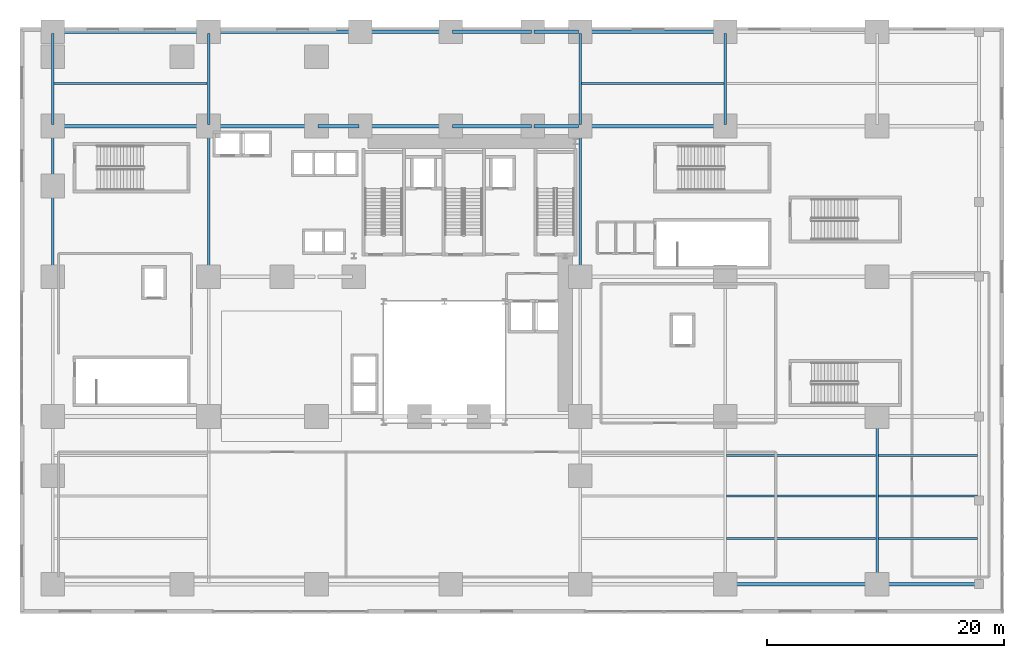
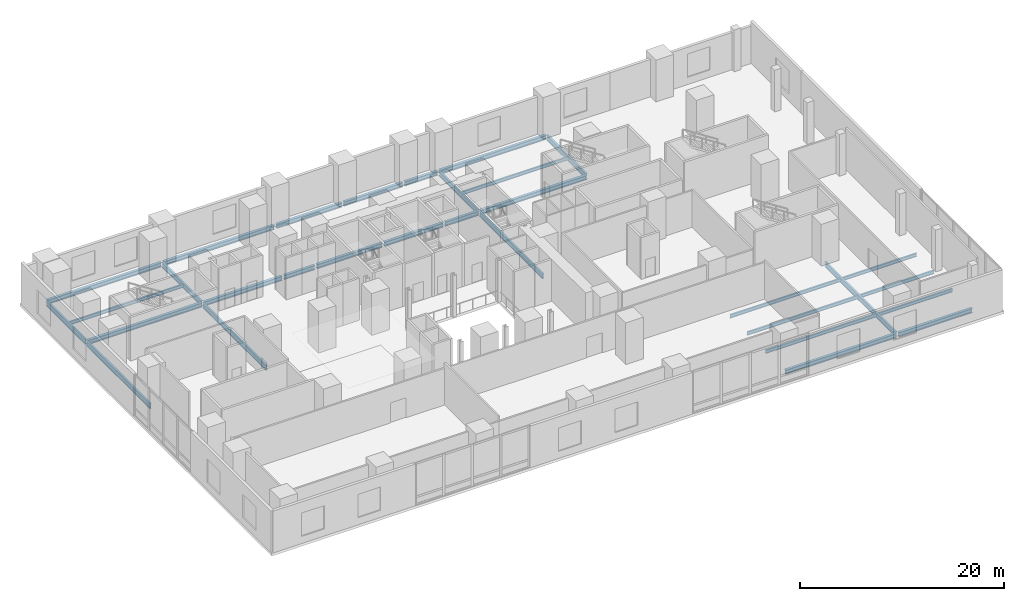
# One storey, part 5 of 15: 31 beams.
"""IFC4 building model written with IfcOpenShell, lengths in metres."""

from ifc_helpers import new_model, si_unit, direction, frame, origin, origin_2d, place, context, subcontext, project, spatial, i_section, extrude, source, transform, mapped, material, material_profile, profile_set, type_object, element, save


model = new_model("IFC4")

# Units and contexts
model_context = context("Model", 3, precision=1e-05, world=origin(), true_north=direction((0.0, 1.0)))
body_context = subcontext(model_context, "Body", "Model", "MODEL_VIEW")
ifc_project = project(units=[si_unit("LENGTHUNIT", "METRE"), si_unit("AREAUNIT", "SQUARE_METRE"), si_unit("VOLUMEUNIT", "CUBIC_METRE"), si_unit("PLANEANGLEUNIT", "RADIAN"), si_unit("MASSUNIT", "GRAM", prefix="KILO")], contexts=[model_context])

# Site, building, storey
site_placement = place(None, origin())
site = spatial("IfcSite", under=ifc_project, at=site_placement, CompositionType="ELEMENT")
building_placement = place(site_placement, origin())
building = spatial("IfcBuilding", under=site, at=building_placement, Name="Vardaveli Station Tower", CompositionType="ELEMENT")
storey_placement = place(building_placement, frame((0.0, 0.0, 6.0)))
storey = spatial("IfcBuildingStorey", under=building, at=storey_placement, Name="L02", CompositionType="ELEMENT", Elevation=6.0)

# Beams
ifc_material = material(Name="Structural steel S355J2", Category="steel")
ifc_material_profile_1 = material_profile(ifc_material, i_section(OverallWidth=0.305908203125, OverallDepth=0.52392578125, WebThickness=0.02099609375, FlangeThickness=0.0400390625, FilletRadius=0.027099609375, at=origin_2d()), Name="HEM 500")
ifc_profile_set_1 = profile_set([ifc_material_profile_1], Name="Structural steel S355J2")
beam_type_1 = type_object("IfcBeamType", Name="BM-HEM500", PredefinedType="BEAM", material=ifc_profile_set_1)
shared_shape_1 = source(origin(), body_context, "Body", "SweptSolid", [
    extrude(i_section(OverallWidth=0.305908203125, OverallDepth=0.52392578125, WebThickness=0.02099609375, FlangeThickness=0.0400390625, FilletRadius=0.027099609375, at=origin_2d()), origin(), (0.0, 0.0, 1.0), 12.009765625),
])
for number, where, z_axis, x_axis, name in (
    (1, (47.8701171875, 41.60009765625, -0.58203125), (1.0, 0.0, 0.0), (0.0, 1.0, 0.0), "PBM-L02-EW3-6"),
    (2, (47.8701171875, 49.550048828125, -0.58203125), (1.0, 0.0, 0.0), (0.0, 1.0, 0.0), "PBM-L02-EW4-5"),
):
    element("IfcBeam", number, at=place(storey_placement, frame(where, z_axis=z_axis, x_axis=x_axis)), inside=storey, type_object=beam_type_1, Name=name, PredefinedType="BEAM", context=body_context, shape_type="MappedRepresentation", body=[
        mapped(shared_shape_1, transform((0.0, 0.0, 0.0), scale=1.0)),
    ])
shared_shape_2 = source(origin(), body_context, "Body", "SweptSolid", [
    extrude(i_section(OverallWidth=0.305908203125, OverallDepth=0.52392578125, WebThickness=0.02099609375, FlangeThickness=0.0400390625, FilletRadius=0.027099609375, at=origin_2d()), origin(), (0.0, 0.0, 1.0), 12.559814453125),
])
beam_1_placement = place(storey_placement, frame((60.1201171875, 2.949951171875, -0.58203125), z_axis=(1.0, 0.0, 0.0), x_axis=(0.0, 1.0, 0.0)))
element("IfcBeam", 3, at=beam_1_placement, inside=storey, type_object=beam_type_1, Name="PBM-L02-EW0-5", PredefinedType="BEAM", context=body_context, shape_type="MappedRepresentation", body=[
    mapped(shared_shape_2, transform((0.0, 0.0, 0.0), scale=1.0)),
])
shared_shape_3 = source(origin(), body_context, "Body", "SweptSolid", [
    extrude(i_section(OverallWidth=0.305908203125, OverallDepth=0.52392578125, WebThickness=0.02099609375, FlangeThickness=0.0400390625, FilletRadius=0.027099609375, at=origin_2d()), origin(), (0.0, 0.0, 1.0), 12.909912109375),
])
for number, where, z_axis, x_axis, name in (
    (4, (3.3701171875, 41.60009765625, -0.58203125), (1.0, 0.0, 0.0), (0.0, 1.0, 0.0), "PBM-L02-EW3-0"),
    (5, (3.3701171875, 49.550048828125, -0.58203125), (1.0, 0.0, 0.0), (0.0, 1.0, 0.0), "PBM-L02-EW4-0"),
):
    element("IfcBeam", number, at=place(storey_placement, frame(where, z_axis=z_axis, x_axis=x_axis)), inside=storey, type_object=beam_type_1, Name=name, PredefinedType="BEAM", context=body_context, shape_type="MappedRepresentation", body=[
        mapped(shared_shape_3, transform((0.0, 0.0, 0.0), scale=1.0)),
    ])
shared_shape_4 = source(origin(), body_context, "Body", "SweptSolid", [
    extrude(i_section(OverallWidth=0.305908203125, OverallDepth=0.52392578125, WebThickness=0.02099609375, FlangeThickness=0.0400390625, FilletRadius=0.027099609375, at=origin_2d()), origin(), (0.0, 0.0, 1.0), 8.85986328125),
])
beam_2_placement = place(storey_placement, frame((16.52001953125, 41.60009765625, -0.58203125), z_axis=(1.0, 0.0, 0.0), x_axis=(0.0, 1.0, 0.0)))
element("IfcBeam", 6, at=beam_2_placement, inside=storey, type_object=beam_type_1, Name="PBM-L02-EW3-1", PredefinedType="BEAM", context=body_context, shape_type="MappedRepresentation", body=[
    mapped(shared_shape_4, transform((0.0, 0.0, 0.0), scale=1.0)),
])
shared_shape_5 = source(origin(), body_context, "Body", "SweptSolid", [
    extrude(i_section(OverallWidth=0.305908203125, OverallDepth=0.52392578125, WebThickness=0.02099609375, FlangeThickness=0.0400390625, FilletRadius=0.027099609375, at=origin_2d()), origin(), (0.0, 0.0, 1.0), 3.4599609375),
])
beam_3_placement = place(storey_placement, frame((25.6201171875, 41.60009765625, -0.58203125), z_axis=(1.0, 0.0, 0.0), x_axis=(0.0, 1.0, 0.0)))
element("IfcBeam", 7, at=beam_3_placement, inside=storey, type_object=beam_type_1, Name="PBM-L02-EW3-2", PredefinedType="BEAM", context=body_context, shape_type="MappedRepresentation", body=[
    mapped(shared_shape_5, transform((0.0, 0.0, 0.0), scale=1.0)),
])
shared_shape_6 = source(origin(), body_context, "Body", "SweptSolid", [
    extrude(i_section(OverallWidth=0.305908203125, OverallDepth=0.52392578125, WebThickness=0.02099609375, FlangeThickness=0.0400390625, FilletRadius=0.027099609375, at=origin_2d()), origin(), (0.0, 0.0, 1.0), 7.39990234375),
])
for number, where, z_axis, x_axis, name in (
    (8, (29.320068359375, 41.60009765625, -0.58203125), (1.0, 0.0, 0.0), (0.0, 1.0, 0.0), "PBM-L02-EW3-3"),
    (9, (29.320068359375, 49.550048828125, -0.58203125), (1.0, 0.0, 0.0), (0.0, 1.0, 0.0), "PBM-L02-EW4-2"),
):
    element("IfcBeam", number, at=place(storey_placement, frame(where, z_axis=z_axis, x_axis=x_axis)), inside=storey, type_object=beam_type_1, Name=name, PredefinedType="BEAM", context=body_context, shape_type="MappedRepresentation", body=[
        mapped(shared_shape_6, transform((0.0, 0.0, 0.0), scale=1.0)),
    ])
shared_shape_7 = source(origin(), body_context, "Body", "SweptSolid", [
    extrude(i_section(OverallWidth=0.305908203125, OverallDepth=0.52392578125, WebThickness=0.02099609375, FlangeThickness=0.0400390625, FilletRadius=0.027099609375, at=origin_2d()), origin(), (0.0, 0.0, 1.0), 6.669921875),
])
for number, where, z_axis, x_axis, name in (
    (10, (36.9599609375, 41.60009765625, -0.58203125), (1.0, 0.0, 0.0), (0.0, 1.0, 0.0), "PBM-L02-EW3-4"),
    (11, (36.9599609375, 49.550048828125, -0.58203125), (1.0, 0.0, 0.0), (0.0, 1.0, 0.0), "PBM-L02-EW4-3"),
):
    element("IfcBeam", number, at=place(storey_placement, frame(where, z_axis=z_axis, x_axis=x_axis)), inside=storey, type_object=beam_type_1, Name=name, PredefinedType="BEAM", context=body_context, shape_type="MappedRepresentation", body=[
        mapped(shared_shape_7, transform((0.0, 0.0, 0.0), scale=1.0)),
    ])
shared_shape_8 = source(origin(), body_context, "Body", "SweptSolid", [
    extrude(i_section(OverallWidth=0.305908203125, OverallDepth=0.52392578125, WebThickness=0.02099609375, FlangeThickness=0.0400390625, FilletRadius=0.027099609375, at=origin_2d()), origin(), (0.0, 0.0, 1.0), 3.759765625),
])
for number, where, z_axis, x_axis, name in (
    (12, (43.8701171875, 41.60009765625, -0.58203125), (1.0, 0.0, 0.0), (0.0, 1.0, 0.0), "PBM-L02-EW3-5"),
    (13, (43.8701171875, 49.550048828125, -0.58203125), (1.0, 0.0, 0.0), (0.0, 1.0, 0.0), "PBM-L02-EW4-4"),
):
    element("IfcBeam", number, at=place(storey_placement, frame(where, z_axis=z_axis, x_axis=x_axis)), inside=storey, type_object=beam_type_1, Name=name, PredefinedType="BEAM", context=body_context, shape_type="MappedRepresentation", body=[
        mapped(shared_shape_8, transform((0.0, 0.0, 0.0), scale=1.0)),
    ])
shared_shape_9 = source(origin(), body_context, "Body", "SweptSolid", [
    extrude(i_section(OverallWidth=0.305908203125, OverallDepth=0.52392578125, WebThickness=0.02099609375, FlangeThickness=0.0400390625, FilletRadius=0.027099609375, at=origin_2d()), origin(), (0.0, 0.0, 1.0), 12.56005859375),
])
beam_4_placement = place(storey_placement, frame((16.52001953125, 49.550048828125, -0.58203125), z_axis=(1.0, 0.0, 0.0), x_axis=(0.0, 1.0, 0.0)))
element("IfcBeam", 14, at=beam_4_placement, inside=storey, type_object=beam_type_1, Name="PBM-L02-EW4-1", PredefinedType="BEAM", context=body_context, shape_type="MappedRepresentation", body=[
    mapped(shared_shape_9, transform((0.0, 0.0, 0.0), scale=1.0)),
])
ifc_material_profile_2 = material_profile(ifc_material, i_section(OverallWidth=0.219970703125, OverallDepth=0.60009765625, WebThickness=0.011962890625, FlangeThickness=0.01904296875, FilletRadius=0.02392578125, at=origin_2d()), Name="IPE 600")
ifc_profile_set_2 = profile_set([ifc_material_profile_2], Name="Structural steel S355J2")
beam_type_2 = type_object("IfcBeamType", Name="BM-IPE600", PredefinedType="BEAM", material=ifc_profile_set_2)
shared_shape_10 = source(origin(), body_context, "Body", "SweptSolid", [
    extrude(i_section(OverallWidth=0.219970703125, OverallDepth=0.60009765625, WebThickness=0.011962890625, FlangeThickness=0.01904296875, FilletRadius=0.02392578125, at=origin_2d()), origin(), (0.0, 0.0, 1.0), 13.909912109375),
])
beam_5_placement = place(storey_placement, frame((72.800048828125, 3.070068359375, -0.6201171875), z_axis=(0.0, 1.0, 0.0), x_axis=(-1.0, 0.0, 0.0)))
element("IfcBeam", 15, at=beam_5_placement, inside=storey, type_object=beam_type_2, Name="PBM-L02-NS4-0", PredefinedType="BEAM", context=body_context, shape_type="MappedRepresentation", body=[
    mapped(shared_shape_10, transform((0.0, 0.0, 0.0), scale=1.0)),
])
shared_shape_11 = source(origin(), body_context, "Body", "SweptSolid", [
    extrude(i_section(OverallWidth=0.219970703125, OverallDepth=0.60009765625, WebThickness=0.011962890625, FlangeThickness=0.01904296875, FilletRadius=0.02392578125, at=origin_2d()), origin(), (0.0, 0.0, 1.0), 12.4599609375),
])
for number, where, z_axis, x_axis, name in (
    (16, (3.25, 29.02001953125, -0.6201171875), (0.0, 1.0, 0.0), (-1.0, 0.0, 0.0), "PBM-L02-NS0-2"),
    (17, (16.39990234375, 29.02001953125, -0.6201171875), (0.0, 1.0, 0.0), (-1.0, 0.0, 0.0), "PBM-L02-NS1-2"),
    (18, (47.75, 29.02001953125, -0.6201171875), (0.0, 1.0, 0.0), (-1.0, 0.0, 0.0), "PBM-L02-NS2-2"),
):
    element("IfcBeam", number, at=place(storey_placement, frame(where, z_axis=z_axis, x_axis=x_axis)), inside=storey, type_object=beam_type_2, Name=name, PredefinedType="BEAM", context=body_context, shape_type="MappedRepresentation", body=[
        mapped(shared_shape_11, transform((0.0, 0.0, 0.0), scale=1.0)),
    ])
shared_shape_12 = source(origin(), body_context, "Body", "SweptSolid", [
    extrude(i_section(OverallWidth=0.219970703125, OverallDepth=0.60009765625, WebThickness=0.011962890625, FlangeThickness=0.01904296875, FilletRadius=0.02392578125, at=origin_2d()), origin(), (0.0, 0.0, 1.0), 7.7099609375),
])
for number, where, z_axis, x_axis, name in (
    (19, (3.25, 41.719970703125, -0.6201171875), (0.0, 1.0, 0.0), (-1.0, 0.0, 0.0), "PBM-L02-NS0-3"),
    (20, (16.39990234375, 41.719970703125, -0.6201171875), (0.0, 1.0, 0.0), (-1.0, 0.0, 0.0), "PBM-L02-NS1-3"),
    (21, (47.75, 41.719970703125, -0.6201171875), (0.0, 1.0, 0.0), (-1.0, 0.0, 0.0), "PBM-L02-NS2-3"),
    (22, (60.0, 41.719970703125, -0.6201171875), (0.0, 1.0, 0.0), (-1.0, 0.0, 0.0), "PBM-L02-NS3-3"),
):
    element("IfcBeam", number, at=place(storey_placement, frame(where, z_axis=z_axis, x_axis=x_axis)), inside=storey, type_object=beam_type_2, Name=name, PredefinedType="BEAM", context=body_context, shape_type="MappedRepresentation", body=[
        mapped(shared_shape_12, transform((0.0, 0.0, 0.0), scale=1.0)),
    ])
ifc_material_profile_3 = material_profile(ifc_material, i_section(OverallWidth=0.179931640625, OverallDepth=0.39990234375, WebThickness=0.008544921875, FlangeThickness=0.013427734375, FilletRadius=0.02099609375, at=origin_2d()), Name="IPE 400")
ifc_profile_set_3 = profile_set([ifc_material_profile_3], Name="Structural steel S355J2")
beam_type_3 = type_object("IfcBeamType", Name="BM-IPE400", PredefinedType="JOIST", material=ifc_profile_set_3)
shared_shape_13 = source(origin(), body_context, "Body", "SweptSolid", [
    extrude(i_section(OverallWidth=0.179931640625, OverallDepth=0.39990234375, WebThickness=0.008544921875, FlangeThickness=0.013427734375, FilletRadius=0.02099609375, at=origin_2d()), origin(), (0.0, 0.0, 1.0), 12.02587890625),
])
beam_6_placement = place(storey_placement, frame((47.862060546875, 45.199951171875, -0.52001953125), z_axis=(1.0, 0.0, 0.0), x_axis=(0.0, 1.0, 0.0)))
element("IfcBeam", 23, at=beam_6_placement, inside=storey, type_object=beam_type_3, Name="PJ-L02-4-2", PredefinedType="JOIST", context=body_context, shape_type="MappedRepresentation", body=[
    mapped(shared_shape_13, transform((0.0, 0.0, 0.0), scale=1.0)),
])
shared_shape_14 = source(origin(), body_context, "Body", "SweptSolid", [
    extrude(i_section(OverallWidth=0.179931640625, OverallDepth=0.39990234375, WebThickness=0.008544921875, FlangeThickness=0.013427734375, FilletRadius=0.02099609375, at=origin_2d()), origin(), (0.0, 0.0, 1.0), 12.575927734375),
])
for number, where, z_axis, x_axis, name in (
    (24, (60.112060546875, 6.800048828125, -0.52001953125), (1.0, 0.0, 0.0), (0.0, 1.0, 0.0), "PJ-L02-1-3"),
    (25, (60.112060546875, 10.39990234375, -0.52001953125), (1.0, 0.0, 0.0), (0.0, 1.0, 0.0), "PJ-L02-2-3"),
    (26, (60.112060546875, 13.800048828125, -0.52001953125), (1.0, 0.0, 0.0), (0.0, 1.0, 0.0), "PJ-L02-3-3"),
):
    element("IfcBeam", number, at=place(storey_placement, frame(where, z_axis=z_axis, x_axis=x_axis)), inside=storey, type_object=beam_type_3, Name=name, PredefinedType="JOIST", context=body_context, shape_type="MappedRepresentation", body=[
        mapped(shared_shape_14, transform((0.0, 0.0, 0.0), scale=1.0)),
    ])
shared_shape_15 = source(origin(), body_context, "Body", "SweptSolid", [
    extrude(i_section(OverallWidth=0.305908203125, OverallDepth=0.52392578125, WebThickness=0.02099609375, FlangeThickness=0.0400390625, FilletRadius=0.027099609375, at=origin_2d()), origin(), (0.0, 0.0, 1.0), 8.360107421875),
])
beam_7_placement = place(storey_placement, frame((72.919921875, 2.949951171875, -0.58203125), z_axis=(1.0, 0.0, 0.0), x_axis=(0.0, 1.0, 0.0)))
element("IfcBeam", 27, at=beam_7_placement, inside=storey, type_object=beam_type_1, Name="PBM-L02-EW0-6", PredefinedType="BEAM", context=body_context, shape_type="MappedRepresentation", body=[
    mapped(shared_shape_15, transform((0.0, 0.0, 0.0), scale=1.0)),
])
shared_shape_16 = source(origin(), body_context, "Body", "SweptSolid", [
    extrude(i_section(OverallWidth=0.179931640625, OverallDepth=0.39990234375, WebThickness=0.008544921875, FlangeThickness=0.013427734375, FilletRadius=0.02099609375, at=origin_2d()), origin(), (0.0, 0.0, 1.0), 12.926025390625),
])
beam_8_placement = place(storey_placement, frame((3.362060546875, 45.199951171875, -0.52001953125), z_axis=(1.0, 0.0, 0.0), x_axis=(0.0, 1.0, 0.0)))
element("IfcBeam", 28, at=beam_8_placement, inside=storey, type_object=beam_type_3, Name="PJ-L02-4-0", PredefinedType="JOIST", context=body_context, shape_type="MappedRepresentation", body=[
    mapped(shared_shape_16, transform((0.0, 0.0, 0.0), scale=1.0)),
])
shared_shape_17 = source(origin(), body_context, "Body", "SweptSolid", [
    extrude(i_section(OverallWidth=0.179931640625, OverallDepth=0.39990234375, WebThickness=0.008544921875, FlangeThickness=0.013427734375, FilletRadius=0.02099609375, at=origin_2d()), origin(), (0.0, 0.0, 1.0), 8.3759765625),
])
for number, where, z_axis, x_axis, name in (
    (29, (72.912109375, 6.800048828125, -0.52001953125), (1.0, 0.0, 0.0), (0.0, 1.0, 0.0), "PJ-L02-1-4"),
    (30, (72.912109375, 10.39990234375, -0.52001953125), (1.0, 0.0, 0.0), (0.0, 1.0, 0.0), "PJ-L02-2-4"),
    (31, (72.912109375, 13.800048828125, -0.52001953125), (1.0, 0.0, 0.0), (0.0, 1.0, 0.0), "PJ-L02-3-4"),
):
    element("IfcBeam", number, at=place(storey_placement, frame(where, z_axis=z_axis, x_axis=x_axis)), inside=storey, type_object=beam_type_3, Name=name, PredefinedType="JOIST", context=body_context, shape_type="MappedRepresentation", body=[
        mapped(shared_shape_17, transform((0.0, 0.0, 0.0), scale=1.0)),
    ])

save(model, "model.ifc")
